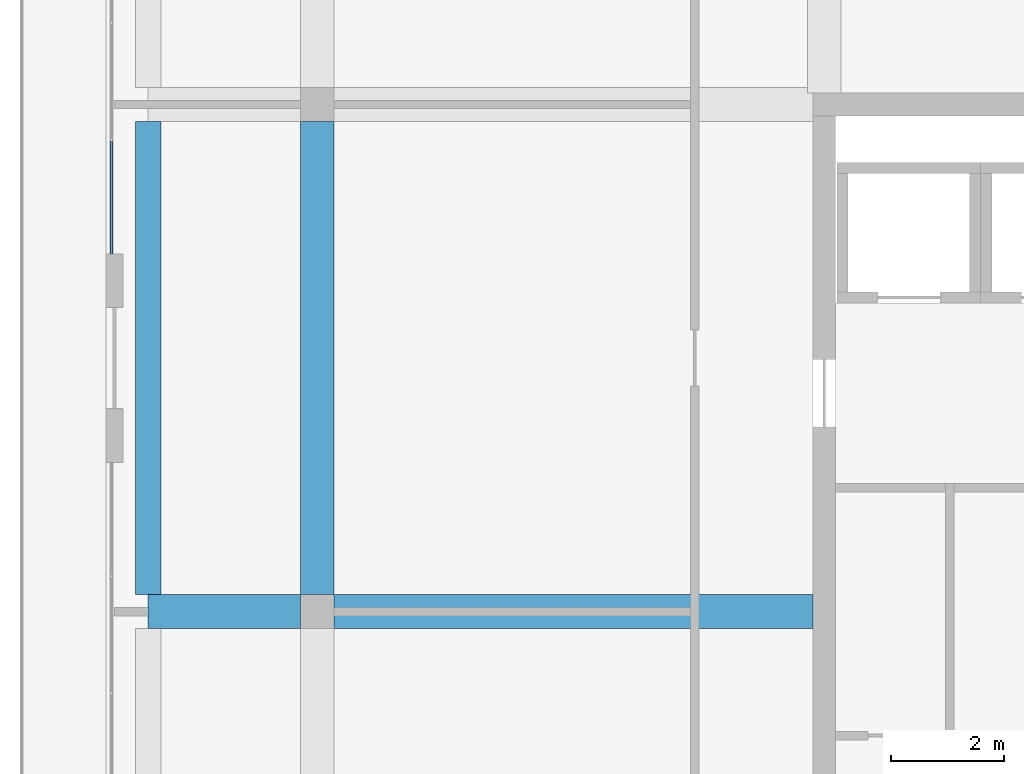
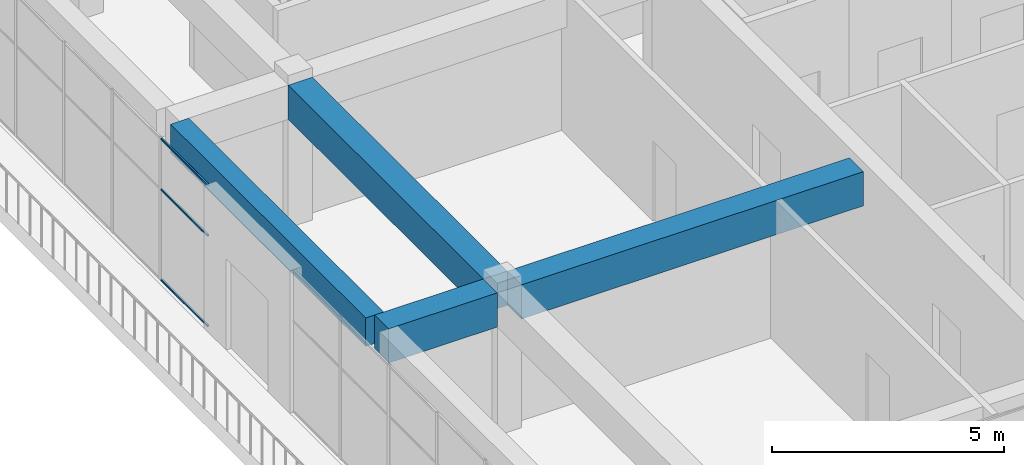
# One storey, part 8 of 32: 4 beams, 3 members, 1 element without a shape of its own.
"""IFC4 building model written with IfcOpenShell, lengths in metres."""

from ifc_helpers import new_model, si_unit, direction, frame, origin, origin_2d, place, context, subcontext, project, spatial, rectangle, hollow_rectangle, extrude, material, layer, layer_set, material_profile, profile_set, type_object, element, aggregate, save


model = new_model("IFC4")

# Units and contexts
model_context = context("Model", 3, precision=1e-05, world=origin(), true_north=direction((0.0, 1.0)))
body_context = subcontext(model_context, "Body", "Model", "MODEL_VIEW")
ifc_project = project(units=[si_unit("LENGTHUNIT", "METRE"), si_unit("AREAUNIT", "SQUARE_METRE"), si_unit("VOLUMEUNIT", "CUBIC_METRE"), si_unit("PLANEANGLEUNIT", "RADIAN"), si_unit("MASSUNIT", "GRAM", prefix="KILO")], contexts=[model_context])

# Site, building, storey
site_placement = place(None, origin())
site = spatial("IfcSite", under=ifc_project, at=site_placement, CompositionType="ELEMENT")
building_placement = place(site_placement, origin())
building = spatial("IfcBuilding", under=site, at=building_placement, Name="Tuart Plaza Theatre", CompositionType="ELEMENT")
storey_placement = place(building_placement, frame((0.0, 0.0, 41.5)))
storey = spatial("IfcBuildingStorey", under=building, at=storey_placement, Name="L10", CompositionType="ELEMENT", Elevation=41.5)

# Beams
ifc_material_1 = material(Name="Concrete N40 (40 MPa)", Category="concrete")
ifc_material_profile_1 = material_profile(ifc_material_1, rectangle(XDim=0.449951171875, YDim=0.75, at=origin_2d()), Name="BEAM 450x750 Concrete N40 (40 MPa)")
ifc_profile_set_1 = profile_set([ifc_material_profile_1], Name="Concrete N40 (40 MPa)")
beam_type_1 = type_object("IfcBeamType", Name="BEAM 450x750 Concrete N40 (40 MPa)", PredefinedType="BEAM", material=ifc_profile_set_1)
beam_1_placement = place(storey_placement, frame((111.0, 74.300048828125, 3.375), z_axis=(0.0, 1.0, 0.0), x_axis=(-1.0, 0.0, 0.0)))
element("IfcBeam", 1, at=beam_1_placement, inside=storey, type_object=beam_type_1, Name="RB284", PredefinedType="BEAM", context=body_context, shape_type="SweptSolid", body=[
    extrude(rectangle(XDim=0.449951171875, YDim=0.75, at=origin_2d()), origin(), (0.0, 0.0, 1.0), 8.39990234375),
])
ifc_material_2 = material(Name="Concrete N40 (40 MPa)", Category="concrete")
ifc_material_profile_2 = material_profile(ifc_material_2, rectangle(XDim=0.60009765625, YDim=0.89990234375, at=origin_2d()), Name="BEAM 600x900 Concrete N40 (40 MPa)")
ifc_profile_set_2 = profile_set([ifc_material_profile_2], Name="Concrete N40 (40 MPa)")
beam_type_2 = type_object("IfcBeamType", Name="BEAM 600x900 Concrete N40 (40 MPa)", PredefinedType="BEAM", material=ifc_profile_set_2)
beam_2_placement = place(storey_placement, frame((111.0, 74.0, 3.300048828125), z_axis=(1.0, 0.0, 0.0), x_axis=(0.0, 1.0, 0.0)))
element("IfcBeam", 2, at=beam_2_placement, inside=storey, type_object=beam_type_2, Name="RB285", PredefinedType="BEAM", context=body_context, shape_type="SweptSolid", body=[
    extrude(rectangle(XDim=0.60009765625, YDim=0.89990234375, at=origin_2d()), origin(), (0.0, 0.0, 1.0), 2.699951171875),
])
beam_3_placement = place(storey_placement, frame((114.0, 74.300048828125, 3.300048828125), z_axis=(0.0, 1.0, 0.0), x_axis=(-1.0, 0.0, 0.0)))
element("IfcBeam", 3, at=beam_3_placement, inside=storey, type_object=beam_type_2, Name="RB291", PredefinedType="BEAM", context=body_context, shape_type="SweptSolid", body=[
    extrude(rectangle(XDim=0.60009765625, YDim=0.89990234375, at=origin_2d()), origin(), (0.0, 0.0, 1.0), 8.39990234375),
])
beam_4_placement = place(storey_placement, frame((114.300048828125, 74.0, 3.300048828125), z_axis=(1.0, 0.0, 0.0), x_axis=(0.0, 1.0, 0.0)))
element("IfcBeam", 4, at=beam_4_placement, inside=storey, type_object=beam_type_2, Name="RB292", PredefinedType="BEAM", context=body_context, shape_type="SweptSolid", body=[
    extrude(rectangle(XDim=0.60009765625, YDim=0.89990234375, at=origin_2d()), origin(), (0.0, 0.0, 1.0), 8.5),
])

# Curtain wall, members
ifc_material_3 = material(Name="Aluminium and glass", Category="aluminium")
ifc_layer = layer(ifc_material_3, 0.10009765625)
ifc_layer_set = layer_set([ifc_layer], Name="CURTAIN WALL 2000 module")
curtain_wall_type = type_object("IfcCurtainWallType", Name="CURTAIN WALL 2000 module", PredefinedType="NOTDEFINED", material=ifc_layer_set)
curtain_wall_placement = place(storey_placement, origin())
curtain_wall = element("IfcCurtainWall", 5, at=curtain_wall_placement, inside=storey, type_object=curtain_wall_type, Name="CW106", PredefinedType="NOTDEFINED")
ifc_material_4 = material(Name="Aluminium 6063-T5", Category="aluminium")
ifc_material_profile_3 = material_profile(ifc_material_4, hollow_rectangle(XDim=0.050048828125, YDim=0.050048828125, WallThickness=0.00390625, InnerFilletRadius=0.00390625, OuterFilletRadius=0.008056640625, at=origin_2d()), Name="RHS 50x50x4")
ifc_profile_set_3 = profile_set([ifc_material_profile_3], Name="Aluminium 6063-T5")
member_type = type_object("IfcMemberType", Name="TRANSOM RHS 50x50x4", PredefinedType="USERDEFINED", material=ifc_profile_set_3)
member_1_placement = place(storey_placement, frame((110.35009765625, 82.35009765625, 0.02490234375), z_axis=(0.0, -1.0, 0.0), x_axis=(1.0, 0.0, 0.0)))
member_1 = element("IfcMember", 6, at=member_1_placement, type_object=member_type, Name="CW106 transom 6.1", ObjectType="TRANSOM", PredefinedType="USERDEFINED", context=body_context, shape_type="SweptSolid", body=[
    extrude(hollow_rectangle(XDim=0.050048828125, YDim=0.050048828125, WallThickness=0.00390625, InnerFilletRadius=0.00390625, OuterFilletRadius=0.008056640625, at=origin_2d()), origin(), (0.0, 0.0, 1.0), 2.0),
])
member_2_placement = place(storey_placement, frame((110.35009765625, 82.35009765625, 2.39990234375), z_axis=(0.0, -1.0, 0.0), x_axis=(1.0, 0.0, 0.0)))
member_2 = element("IfcMember", 7, at=member_2_placement, type_object=member_type, Name="CW106 transom 6.2", ObjectType="TRANSOM", PredefinedType="USERDEFINED", context=body_context, shape_type="SweptSolid", body=[
    extrude(hollow_rectangle(XDim=0.050048828125, YDim=0.050048828125, WallThickness=0.00390625, InnerFilletRadius=0.00390625, OuterFilletRadius=0.008056640625, at=origin_2d()), origin(), (0.0, 0.0, 1.0), 2.0),
])
member_3_placement = place(storey_placement, frame((110.35009765625, 82.35009765625, 3.72509765625), z_axis=(0.0, -1.0, 0.0), x_axis=(1.0, 0.0, 0.0)))
member_3 = element("IfcMember", 8, at=member_3_placement, type_object=member_type, Name="CW106 transom 6.3", ObjectType="TRANSOM", PredefinedType="USERDEFINED", context=body_context, shape_type="SweptSolid", body=[
    extrude(hollow_rectangle(XDim=0.050048828125, YDim=0.050048828125, WallThickness=0.00390625, InnerFilletRadius=0.00390625, OuterFilletRadius=0.008056640625, at=origin_2d()), origin(), (0.0, 0.0, 1.0), 2.0),
])
aggregate(curtain_wall, [member_1, member_2, member_3])

save(model, "model.ifc")
